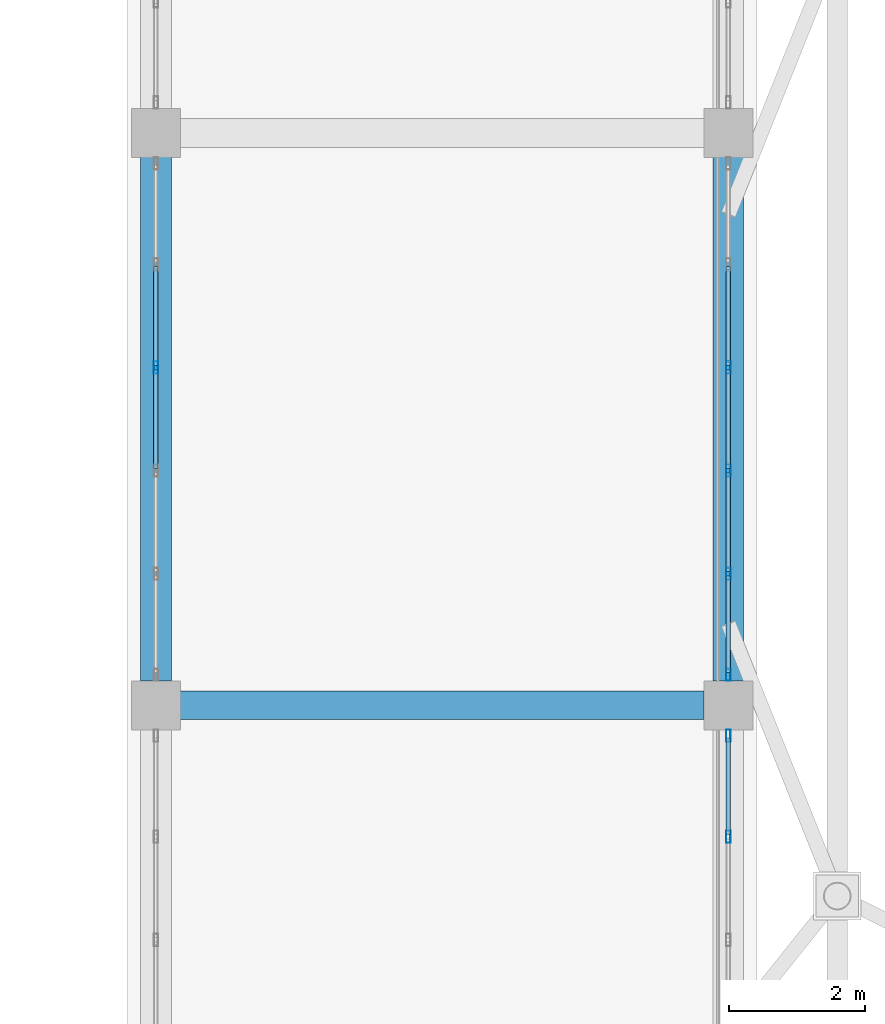
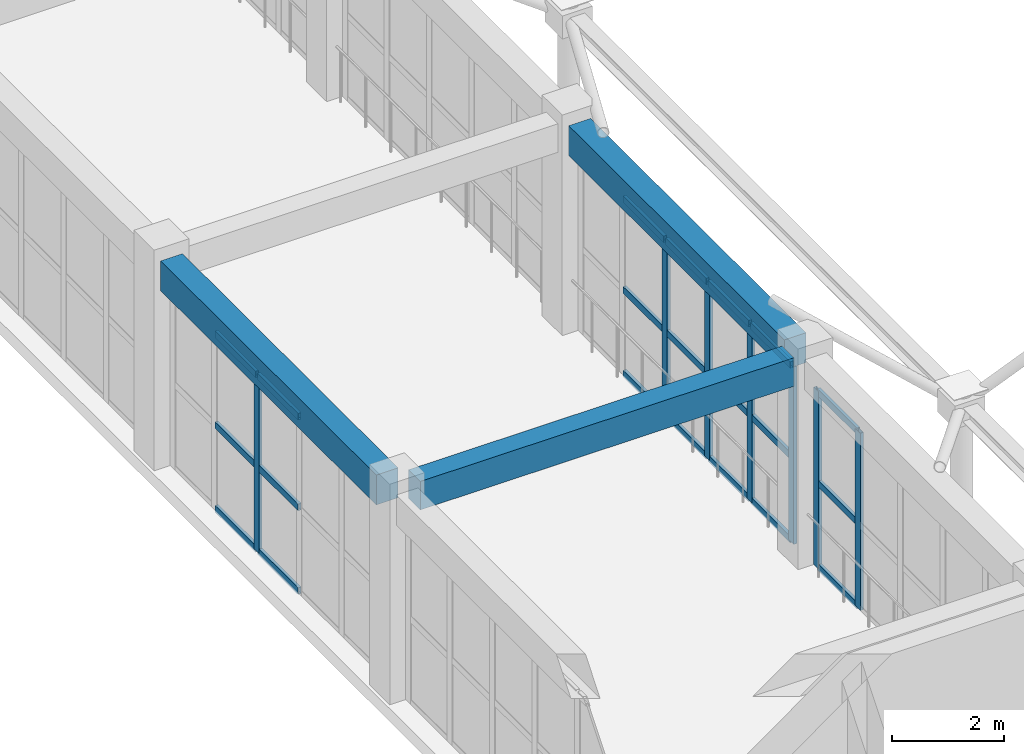
# One storey, part 94 of 158: 28 members, 3 beams, 3 elements without a shape of their own.
"""IFC4 building model written with IfcOpenShell, lengths in metres."""

from ifc_helpers import new_model, si_unit, direction, frame, origin, origin_2d, place, context, subcontext, project, spatial, rectangle, hollow_rectangle, extrude, material, layer, layer_set, material_profile, profile_set, type_object, element, aggregate, save


model = new_model("IFC4")

# Units and contexts
model_context = context("Model", 3, precision=1e-05, world=origin(), true_north=direction((0.0, 1.0)))
body_context = subcontext(model_context, "Body", "Model", "MODEL_VIEW")
ifc_project = project(units=[si_unit("LENGTHUNIT", "METRE"), si_unit("AREAUNIT", "SQUARE_METRE"), si_unit("VOLUMEUNIT", "CUBIC_METRE"), si_unit("PLANEANGLEUNIT", "RADIAN"), si_unit("MASSUNIT", "GRAM", prefix="KILO")], contexts=[model_context])

# Site, building, storey
site_placement = place(None, origin())
site = spatial("IfcSite", under=ifc_project, at=site_placement, CompositionType="ELEMENT")
building_placement = place(site_placement, origin())
building = spatial("IfcBuilding", under=site, at=building_placement, Name="Trelvath General Hospital", CompositionType="ELEMENT")
storey_placement = place(building_placement, frame((0.0, 0.0, 8.10009765625)))
storey = spatial("IfcBuildingStorey", under=building, at=storey_placement, Name="L02", CompositionType="ELEMENT", Elevation=8.10009765625)

# Beams
ifc_material_1 = material(Name="Concrete C35/45", Category="concrete")
ifc_material_profile_1 = material_profile(ifc_material_1, rectangle(XDim=0.419921875, YDim=0.6201171875, at=origin_2d()), Name="RCB420x620")
ifc_profile_set_1 = profile_set([ifc_material_profile_1], Name="Concrete C35/45")
beam_type_1 = type_object("IfcBeamType", Name="Beam RC420x620", PredefinedType="BEAM", material=ifc_profile_set_1)
beam_placement = place(storey_placement, frame((134.7548828125, 42.0, 4.2099609375), z_axis=(1.0, 0.0, 0.0), x_axis=(0.0, 1.0, 0.0)))
element("IfcBeam", 1, at=beam_placement, inside=storey, type_object=beam_type_1, Name="Grid Beam BX-216F", PredefinedType="BEAM", context=body_context, shape_type="SweptSolid", body=[
    extrude(rectangle(XDim=0.419921875, YDim=0.6201171875, at=origin_2d()), origin(), (0.0, 0.0, 1.0), 7.690185546875),
])
ifc_material_2 = material(Name="Concrete C35/45", Category="concrete")
ifc_material_profile_2 = material_profile(ifc_material_2, rectangle(XDim=0.449951171875, YDim=0.64990234375, at=origin_2d()), Name="RCB450x650")
ifc_profile_set_2 = profile_set([ifc_material_profile_2], Name="Concrete C35/45")
beam_type_2 = type_object("IfcBeamType", Name="Beam RC450x650", PredefinedType="BEAM", material=ifc_profile_set_2)
for number, where, z_axis, x_axis, name in (
    (2, (134.39990234375, 42.35498046875, 4.19482421875), (0.0, 1.0, 0.0), (-1.0, 0.0, 0.0), "Grid Beam BY-216F"),
    (3, (142.800048828125, 42.35498046875, 4.19482421875), (0.0, 1.0, 0.0), (-1.0, 0.0, 0.0), "Grid Beam BY-217F"),
):
    element("IfcBeam", number, at=place(storey_placement, frame(where, z_axis=z_axis, x_axis=x_axis)), inside=storey, type_object=beam_type_2, Name=name, PredefinedType="BEAM", context=body_context, shape_type="SweptSolid", body=[
        extrude(rectangle(XDim=0.449951171875, YDim=0.64990234375, at=origin_2d()), origin(), (0.0, 0.0, 1.0), 7.68994140625),
    ])

# Curtain wall, members
ifc_material_3 = material(Name="Anodised aluminium and low-E glass", Category="aluminium")
ifc_layer = layer(ifc_material_3, 0.179931640625)
ifc_layer_set = layer_set([ifc_layer], Name="Anodised aluminium and low-E glass")
curtain_wall_type = type_object("IfcCurtainWallType", Name="CW Facade 757 386 18", PredefinedType="USERDEFINED", material=ifc_layer_set)
curtain_wall_1_placement = place(storey_placement, origin())
curtain_wall_1 = element("IfcCurtainWall", 4, at=curtain_wall_1_placement, inside=storey, type_object=curtain_wall_type, Name="Facade Curtain Wall CW-049", ObjectType="Unitised Glazed Curtain Wall", PredefinedType="USERDEFINED")
ifc_material_4 = material(Name="Anodised aluminium", Category="aluminium")
ifc_material_profile_3 = material_profile(ifc_material_4, hollow_rectangle(XDim=0.06494140625, YDim=0.179931640625, WallThickness=0.0048828125, at=origin_2d()), Name="RHS65x180x5")
ifc_profile_set_3 = profile_set([ifc_material_profile_3], Name="Anodised aluminium")
member_type_1 = type_object("IfcMemberType", Name="CurtainMullion 65x180", PredefinedType="MULLION", material=ifc_profile_set_3)
member_1_placement = place(storey_placement, frame((142.800048828125, 41.552490234375, 0.0), z_axis=(0.0, 0.0, 1.0), x_axis=(1.0, 0.0, 0.0)))
member_1 = element("IfcMember", 5, at=member_1_placement, type_object=member_type_1, Name="CW-049 mullion 1", PredefinedType="MULLION", context=body_context, shape_type="SweptSolid", body=[
    extrude(hollow_rectangle(XDim=0.06494140625, YDim=0.179931640625, WallThickness=0.0048828125, at=origin_2d()), origin(), (0.0, 0.0, 1.0), 3.85986328125),
])
member_2_placement = place(storey_placement, frame((142.800048828125, 40.071044921875, 0.0), z_axis=(0.0, 0.0, 1.0), x_axis=(1.0, 0.0, 0.0)))
member_2 = element("IfcMember", 6, at=member_2_placement, type_object=member_type_1, Name="CW-049 mullion 2", PredefinedType="MULLION", context=body_context, shape_type="SweptSolid", body=[
    extrude(hollow_rectangle(XDim=0.06494140625, YDim=0.179931640625, WallThickness=0.0048828125, at=origin_2d()), origin(), (0.0, 0.0, 1.0), 3.85986328125),
])

# Curtain wall, member
curtain_wall_2_placement = place(storey_placement, origin())
curtain_wall_2 = element("IfcCurtainWall", 7, at=curtain_wall_2_placement, inside=storey, type_object=curtain_wall_type, Name="Facade Curtain Wall CW-050", ObjectType="Unitised Glazed Curtain Wall", PredefinedType="USERDEFINED")
member_3_placement = place(storey_placement, frame((134.39990234375, 46.95703125, 0.0), z_axis=(0.0, 0.0, 1.0), x_axis=(-1.0, 0.0, 0.0)))
member_3 = element("IfcMember", 8, at=member_3_placement, type_object=member_type_1, Name="CW-050 mullion 4", PredefinedType="MULLION", context=body_context, shape_type="SweptSolid", body=[
    extrude(hollow_rectangle(XDim=0.06494140625, YDim=0.179931640625, WallThickness=0.0048828125, at=origin_2d()), origin(), (0.0, 0.0, 1.0), 3.85986328125),
])

# Curtain wall, members
curtain_wall_3_placement = place(storey_placement, origin())
curtain_wall_3 = element("IfcCurtainWall", 9, at=curtain_wall_3_placement, inside=storey, type_object=curtain_wall_type, Name="Facade Curtain Wall CW-051", ObjectType="Unitised Glazed Curtain Wall", PredefinedType="USERDEFINED")
member_4_placement = place(storey_placement, frame((142.800048828125, 46.95703125, 0.0), z_axis=(0.0, 0.0, 1.0), x_axis=(1.0, 0.0, 0.0)))
member_4 = element("IfcMember", 10, at=member_4_placement, type_object=member_type_1, Name="CW-051 mullion 3", PredefinedType="MULLION", context=body_context, shape_type="SweptSolid", body=[
    extrude(hollow_rectangle(XDim=0.06494140625, YDim=0.179931640625, WallThickness=0.0048828125, at=origin_2d()), origin(), (0.0, 0.0, 1.0), 3.85986328125),
])
member_5_placement = place(storey_placement, frame((142.800048828125, 45.443115234375, 0.0), z_axis=(0.0, 0.0, 1.0), x_axis=(1.0, 0.0, 0.0)))
member_5 = element("IfcMember", 11, at=member_5_placement, type_object=member_type_1, Name="CW-051 mullion 4", PredefinedType="MULLION", context=body_context, shape_type="SweptSolid", body=[
    extrude(hollow_rectangle(XDim=0.06494140625, YDim=0.179931640625, WallThickness=0.0048828125, at=origin_2d()), origin(), (0.0, 0.0, 1.0), 3.85986328125),
])
member_6_placement = place(storey_placement, frame((142.800048828125, 43.928955078125, 0.0), z_axis=(0.0, 0.0, 1.0), x_axis=(1.0, 0.0, 0.0)))
member_6 = element("IfcMember", 12, at=member_6_placement, type_object=member_type_1, Name="CW-051 mullion 5", PredefinedType="MULLION", context=body_context, shape_type="SweptSolid", body=[
    extrude(hollow_rectangle(XDim=0.06494140625, YDim=0.179931640625, WallThickness=0.0048828125, at=origin_2d()), origin(), (0.0, 0.0, 1.0), 3.85986328125),
])
member_7_placement = place(storey_placement, frame((142.800048828125, 42.447509765625, 0.0), z_axis=(0.0, 0.0, 1.0), x_axis=(1.0, 0.0, 0.0)))
member_7 = element("IfcMember", 13, at=member_7_placement, type_object=member_type_1, Name="CW-051 mullion 6", PredefinedType="MULLION", context=body_context, shape_type="SweptSolid", body=[
    extrude(hollow_rectangle(XDim=0.06494140625, YDim=0.179931640625, WallThickness=0.0048828125, at=origin_2d()), origin(), (0.0, 0.0, 1.0), 3.85986328125),
])

# Member
ifc_material_5 = material(Name="Anodised aluminium", Category="aluminium")
ifc_material_profile_4 = material_profile(ifc_material_5, hollow_rectangle(XDim=0.06494140625, YDim=0.14501953125, WallThickness=0.00390625, at=origin_2d()), Name="RHS65x145x4")
ifc_profile_set_4 = profile_set([ifc_material_profile_4], Name="Anodised aluminium")
member_type_2 = type_object("IfcMemberType", Name="CurtainTransom 65x145", PredefinedType="USERDEFINED", material=ifc_profile_set_4)
member_8_placement = place(storey_placement, frame((142.800048828125, 41.52001953125, 0.032470703125), z_axis=(0.0, -1.0, 0.0), x_axis=(1.0, 0.0, 0.0)))
member_8 = element("IfcMember", 14, at=member_8_placement, type_object=member_type_2, Name="CW-049 transom 1.1", ObjectType="TRANSOM", PredefinedType="USERDEFINED", context=body_context, shape_type="SweptSolid", body=[
    extrude(hollow_rectangle(XDim=0.06494140625, YDim=0.14501953125, WallThickness=0.00390625, at=origin_2d()), origin(), (0.0, 0.0, 1.0), 1.41650390625),
])

member_9_placement = place(storey_placement, frame((142.800048828125, 41.52001953125, 1.852783203125), z_axis=(0.0, -1.0, 0.0), x_axis=(1.0, 0.0, 0.0)))
member_9 = element("IfcMember", 15, at=member_9_placement, type_object=member_type_2, Name="CW-049 transom 1.2", ObjectType="TRANSOM", PredefinedType="USERDEFINED", context=body_context, shape_type="SweptSolid", body=[
    extrude(hollow_rectangle(XDim=0.06494140625, YDim=0.14501953125, WallThickness=0.00390625, at=origin_2d()), origin(), (0.0, 0.0, 1.0), 1.41650390625),
])

member_10_placement = place(storey_placement, frame((142.800048828125, 41.52001953125, 3.827392578125), z_axis=(0.0, -1.0, 0.0), x_axis=(1.0, 0.0, 0.0)))
member_10 = element("IfcMember", 16, at=member_10_placement, type_object=member_type_2, Name="CW-049 transom 1.3", ObjectType="TRANSOM", PredefinedType="USERDEFINED", context=body_context, shape_type="SweptSolid", body=[
    extrude(hollow_rectangle(XDim=0.06494140625, YDim=0.14501953125, WallThickness=0.00390625, at=origin_2d()), origin(), (0.0, 0.0, 1.0), 1.41650390625),
])

aggregate(curtain_wall_1, [member_1, member_2, member_8, member_9, member_10])

member_11_placement = place(storey_placement, frame((134.39990234375, 45.4755859375, 0.032470703125), z_axis=(0.0, 1.0, 0.0), x_axis=(-1.0, 0.0, 0.0)))
member_11 = element("IfcMember", 17, at=member_11_placement, type_object=member_type_2, Name="CW-050 transom 3.1", ObjectType="TRANSOM", PredefinedType="USERDEFINED", context=body_context, shape_type="SweptSolid", body=[
    extrude(hollow_rectangle(XDim=0.06494140625, YDim=0.14501953125, WallThickness=0.00390625, at=origin_2d()), origin(), (0.0, 0.0, 1.0), 1.448974609375),
])

member_12_placement = place(storey_placement, frame((134.39990234375, 45.4755859375, 1.852783203125), z_axis=(0.0, 1.0, 0.0), x_axis=(-1.0, 0.0, 0.0)))
member_12 = element("IfcMember", 18, at=member_12_placement, type_object=member_type_2, Name="CW-050 transom 3.2", ObjectType="TRANSOM", PredefinedType="USERDEFINED", context=body_context, shape_type="SweptSolid", body=[
    extrude(hollow_rectangle(XDim=0.06494140625, YDim=0.14501953125, WallThickness=0.00390625, at=origin_2d()), origin(), (0.0, 0.0, 1.0), 1.448974609375),
])

member_13_placement = place(storey_placement, frame((134.39990234375, 45.4755859375, 3.827392578125), z_axis=(0.0, 1.0, 0.0), x_axis=(-1.0, 0.0, 0.0)))
member_13 = element("IfcMember", 19, at=member_13_placement, type_object=member_type_2, Name="CW-050 transom 3.3", ObjectType="TRANSOM", PredefinedType="USERDEFINED", context=body_context, shape_type="SweptSolid", body=[
    extrude(hollow_rectangle(XDim=0.06494140625, YDim=0.14501953125, WallThickness=0.00390625, at=origin_2d()), origin(), (0.0, 0.0, 1.0), 1.448974609375),
])

member_14_placement = place(storey_placement, frame((134.39990234375, 46.989501953125, 0.032470703125), z_axis=(0.0, 1.0, 0.0), x_axis=(-1.0, 0.0, 0.0)))
member_14 = element("IfcMember", 20, at=member_14_placement, type_object=member_type_2, Name="CW-050 transom 4.1", ObjectType="TRANSOM", PredefinedType="USERDEFINED", context=body_context, shape_type="SweptSolid", body=[
    extrude(hollow_rectangle(XDim=0.06494140625, YDim=0.14501953125, WallThickness=0.00390625, at=origin_2d()), origin(), (0.0, 0.0, 1.0), 1.448974609375),
])

member_15_placement = place(storey_placement, frame((134.39990234375, 46.989501953125, 1.852783203125), z_axis=(0.0, 1.0, 0.0), x_axis=(-1.0, 0.0, 0.0)))
member_15 = element("IfcMember", 21, at=member_15_placement, type_object=member_type_2, Name="CW-050 transom 4.2", ObjectType="TRANSOM", PredefinedType="USERDEFINED", context=body_context, shape_type="SweptSolid", body=[
    extrude(hollow_rectangle(XDim=0.06494140625, YDim=0.14501953125, WallThickness=0.00390625, at=origin_2d()), origin(), (0.0, 0.0, 1.0), 1.448974609375),
])

member_16_placement = place(storey_placement, frame((134.39990234375, 46.989501953125, 3.827392578125), z_axis=(0.0, 1.0, 0.0), x_axis=(-1.0, 0.0, 0.0)))
member_16 = element("IfcMember", 22, at=member_16_placement, type_object=member_type_2, Name="CW-050 transom 4.3", ObjectType="TRANSOM", PredefinedType="USERDEFINED", context=body_context, shape_type="SweptSolid", body=[
    extrude(hollow_rectangle(XDim=0.06494140625, YDim=0.14501953125, WallThickness=0.00390625, at=origin_2d()), origin(), (0.0, 0.0, 1.0), 1.448974609375),
])

aggregate(curtain_wall_2, [member_3, member_11, member_12, member_13, member_14, member_15, member_16])

member_17_placement = place(storey_placement, frame((142.800048828125, 48.4384765625, 0.032470703125), z_axis=(0.0, -1.0, 0.0), x_axis=(1.0, 0.0, 0.0)))
member_17 = element("IfcMember", 23, at=member_17_placement, type_object=member_type_2, Name="CW-051 transom 2.1", ObjectType="TRANSOM", PredefinedType="USERDEFINED", context=body_context, shape_type="SweptSolid", body=[
    extrude(hollow_rectangle(XDim=0.06494140625, YDim=0.14501953125, WallThickness=0.00390625, at=origin_2d()), origin(), (0.0, 0.0, 1.0), 1.448974609375),
])

member_18_placement = place(storey_placement, frame((142.800048828125, 48.4384765625, 1.852783203125), z_axis=(0.0, -1.0, 0.0), x_axis=(1.0, 0.0, 0.0)))
member_18 = element("IfcMember", 24, at=member_18_placement, type_object=member_type_2, Name="CW-051 transom 2.2", ObjectType="TRANSOM", PredefinedType="USERDEFINED", context=body_context, shape_type="SweptSolid", body=[
    extrude(hollow_rectangle(XDim=0.06494140625, YDim=0.14501953125, WallThickness=0.00390625, at=origin_2d()), origin(), (0.0, 0.0, 1.0), 1.448974609375),
])

member_19_placement = place(storey_placement, frame((142.800048828125, 48.4384765625, 3.827392578125), z_axis=(0.0, -1.0, 0.0), x_axis=(1.0, 0.0, 0.0)))
member_19 = element("IfcMember", 25, at=member_19_placement, type_object=member_type_2, Name="CW-051 transom 2.3", ObjectType="TRANSOM", PredefinedType="USERDEFINED", context=body_context, shape_type="SweptSolid", body=[
    extrude(hollow_rectangle(XDim=0.06494140625, YDim=0.14501953125, WallThickness=0.00390625, at=origin_2d()), origin(), (0.0, 0.0, 1.0), 1.448974609375),
])

member_20_placement = place(storey_placement, frame((142.800048828125, 46.924560546875, 0.032470703125), z_axis=(0.0, -1.0, 0.0), x_axis=(1.0, 0.0, 0.0)))
member_20 = element("IfcMember", 26, at=member_20_placement, type_object=member_type_2, Name="CW-051 transom 3.1", ObjectType="TRANSOM", PredefinedType="USERDEFINED", context=body_context, shape_type="SweptSolid", body=[
    extrude(hollow_rectangle(XDim=0.06494140625, YDim=0.14501953125, WallThickness=0.00390625, at=origin_2d()), origin(), (0.0, 0.0, 1.0), 1.448974609375),
])

member_21_placement = place(storey_placement, frame((142.800048828125, 46.924560546875, 1.852783203125), z_axis=(0.0, -1.0, 0.0), x_axis=(1.0, 0.0, 0.0)))
member_21 = element("IfcMember", 27, at=member_21_placement, type_object=member_type_2, Name="CW-051 transom 3.2", ObjectType="TRANSOM", PredefinedType="USERDEFINED", context=body_context, shape_type="SweptSolid", body=[
    extrude(hollow_rectangle(XDim=0.06494140625, YDim=0.14501953125, WallThickness=0.00390625, at=origin_2d()), origin(), (0.0, 0.0, 1.0), 1.448974609375),
])

member_22_placement = place(storey_placement, frame((142.800048828125, 46.924560546875, 3.827392578125), z_axis=(0.0, -1.0, 0.0), x_axis=(1.0, 0.0, 0.0)))
member_22 = element("IfcMember", 28, at=member_22_placement, type_object=member_type_2, Name="CW-051 transom 3.3", ObjectType="TRANSOM", PredefinedType="USERDEFINED", context=body_context, shape_type="SweptSolid", body=[
    extrude(hollow_rectangle(XDim=0.06494140625, YDim=0.14501953125, WallThickness=0.00390625, at=origin_2d()), origin(), (0.0, 0.0, 1.0), 1.448974609375),
])

member_23_placement = place(storey_placement, frame((142.800048828125, 45.410400390625, 0.032470703125), z_axis=(0.0, -1.0, 0.0), x_axis=(1.0, 0.0, 0.0)))
member_23 = element("IfcMember", 29, at=member_23_placement, type_object=member_type_2, Name="CW-051 transom 4.1", ObjectType="TRANSOM", PredefinedType="USERDEFINED", context=body_context, shape_type="SweptSolid", body=[
    extrude(hollow_rectangle(XDim=0.06494140625, YDim=0.14501953125, WallThickness=0.00390625, at=origin_2d()), origin(), (0.0, 0.0, 1.0), 1.448974609375),
])

member_24_placement = place(storey_placement, frame((142.800048828125, 45.410400390625, 1.852783203125), z_axis=(0.0, -1.0, 0.0), x_axis=(1.0, 0.0, 0.0)))
member_24 = element("IfcMember", 30, at=member_24_placement, type_object=member_type_2, Name="CW-051 transom 4.2", ObjectType="TRANSOM", PredefinedType="USERDEFINED", context=body_context, shape_type="SweptSolid", body=[
    extrude(hollow_rectangle(XDim=0.06494140625, YDim=0.14501953125, WallThickness=0.00390625, at=origin_2d()), origin(), (0.0, 0.0, 1.0), 1.448974609375),
])

member_25_placement = place(storey_placement, frame((142.800048828125, 45.410400390625, 3.827392578125), z_axis=(0.0, -1.0, 0.0), x_axis=(1.0, 0.0, 0.0)))
member_25 = element("IfcMember", 31, at=member_25_placement, type_object=member_type_2, Name="CW-051 transom 4.3", ObjectType="TRANSOM", PredefinedType="USERDEFINED", context=body_context, shape_type="SweptSolid", body=[
    extrude(hollow_rectangle(XDim=0.06494140625, YDim=0.14501953125, WallThickness=0.00390625, at=origin_2d()), origin(), (0.0, 0.0, 1.0), 1.448974609375),
])

member_26_placement = place(storey_placement, frame((142.800048828125, 43.896484375, 0.032470703125), z_axis=(0.0, -1.0, 0.0), x_axis=(1.0, 0.0, 0.0)))
member_26 = element("IfcMember", 32, at=member_26_placement, type_object=member_type_2, Name="CW-051 transom 5.1", ObjectType="TRANSOM", PredefinedType="USERDEFINED", context=body_context, shape_type="SweptSolid", body=[
    extrude(hollow_rectangle(XDim=0.06494140625, YDim=0.14501953125, WallThickness=0.00390625, at=origin_2d()), origin(), (0.0, 0.0, 1.0), 1.41650390625),
])

member_27_placement = place(storey_placement, frame((142.800048828125, 43.896484375, 1.852783203125), z_axis=(0.0, -1.0, 0.0), x_axis=(1.0, 0.0, 0.0)))
member_27 = element("IfcMember", 33, at=member_27_placement, type_object=member_type_2, Name="CW-051 transom 5.2", ObjectType="TRANSOM", PredefinedType="USERDEFINED", context=body_context, shape_type="SweptSolid", body=[
    extrude(hollow_rectangle(XDim=0.06494140625, YDim=0.14501953125, WallThickness=0.00390625, at=origin_2d()), origin(), (0.0, 0.0, 1.0), 1.41650390625),
])

member_28_placement = place(storey_placement, frame((142.800048828125, 43.896484375, 3.827392578125), z_axis=(0.0, -1.0, 0.0), x_axis=(1.0, 0.0, 0.0)))
member_28 = element("IfcMember", 34, at=member_28_placement, type_object=member_type_2, Name="CW-051 transom 5.3", ObjectType="TRANSOM", PredefinedType="USERDEFINED", context=body_context, shape_type="SweptSolid", body=[
    extrude(hollow_rectangle(XDim=0.06494140625, YDim=0.14501953125, WallThickness=0.00390625, at=origin_2d()), origin(), (0.0, 0.0, 1.0), 1.41650390625),
])

aggregate(curtain_wall_3, [member_4, member_5, member_6, member_7, member_17, member_18, member_19, member_20, member_21, member_22, member_23, member_24, member_25, member_26, member_27, member_28])

save(model, "model.ifc")
